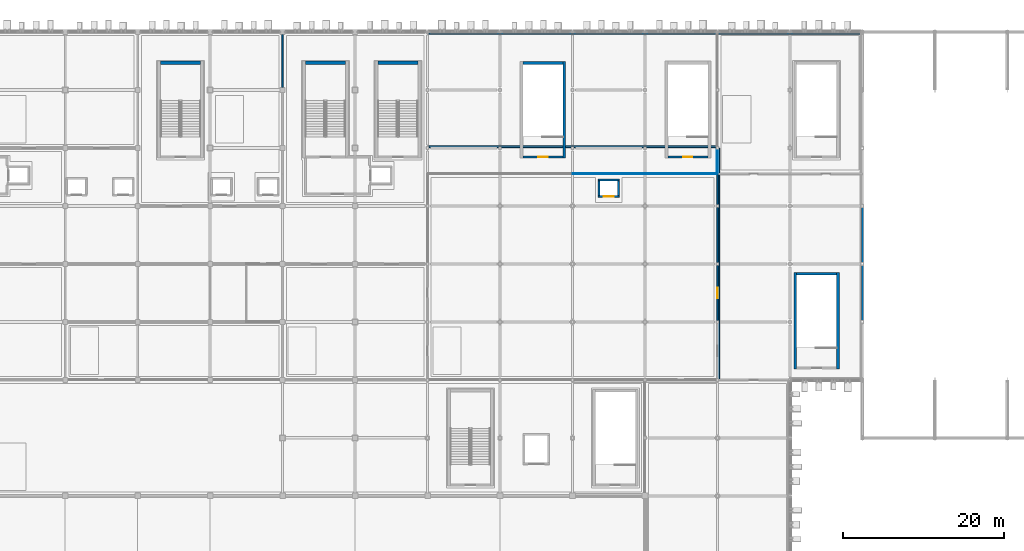
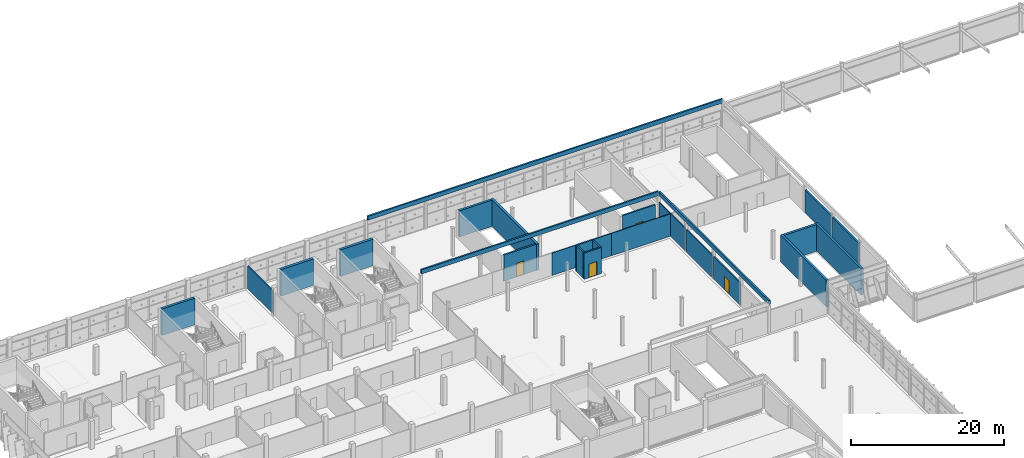
# One storey, part 106 of 124: 26 walls, 4 doors, 4 openings.
"""IFC4 building model written with IfcOpenShell, lengths in metres."""

from ifc_helpers import new_model, si_unit, direction, frame, frame_2d, origin, place, context, subcontext, project, spatial, rectangle, extrude, material, layer, layer_set, type_object, element, fill, save


model = new_model("IFC4")

# Units and contexts
model_context = context("Model", 3, precision=1e-05, world=origin(), true_north=direction((0.0, 1.0)))
body_context = subcontext(model_context, "Body", "Model", "MODEL_VIEW")
ifc_project = project(units=[si_unit("LENGTHUNIT", "METRE"), si_unit("AREAUNIT", "SQUARE_METRE"), si_unit("VOLUMEUNIT", "CUBIC_METRE"), si_unit("PLANEANGLEUNIT", "RADIAN"), si_unit("MASSUNIT", "GRAM", prefix="KILO")], contexts=[model_context])

# Site, building, storey
site_placement = place(None, origin())
site = spatial("IfcSite", under=ifc_project, at=site_placement, CompositionType="ELEMENT")
building_placement = place(site_placement, origin())
building = spatial("IfcBuilding", under=site, at=building_placement, Name="Celestram Park Convention Centre", CompositionType="ELEMENT")
storey_placement = place(building_placement, frame((0.0, 0.0, 15.300048828125)))
storey = spatial("IfcBuildingStorey", under=building, at=storey_placement, Name="L03", CompositionType="ELEMENT", Elevation=15.300048828125)

# Wall, opening, door
ifc_material_1 = material(Name="Concrete Block Masonry C25/30", Category="masonry")
ifc_layer_1 = layer(ifc_material_1, 0.25)
ifc_layer_set_1 = layer_set([ifc_layer_1], Name="Concrete Block Masonry C25/30")
wall_type_1 = type_object("IfcWallType", Name="ARC-WL-COR250", PredefinedType="STANDARD", material=ifc_layer_set_1)
wall_1_placement = place(storey_placement, frame((128.840087890625, 150.074951171875, 0.0), z_axis=(0.0, 0.0, 1.0), x_axis=(1.0, 0.0, 0.0)))
wall_1 = element("IfcWall", 1, at=wall_1_placement, inside=storey, type_object=wall_type_1, Name="Core C5 stair entrance wall", PredefinedType="STANDARD", context=body_context, shape_type="SweptSolid", body=[
    extrude(rectangle(XDim=4.9599609375, YDim=0.25, at=frame_2d((2.47998046875, 0.0))), origin(), (0.0, 0.0, 1.0), 4.199951171875),
])
opening_1_placement = place(wall_1_placement, frame((1.905029296875, 0.0, 0.0)))
opening_1 = element("IfcOpeningElement", 2, at=opening_1_placement, cuts=wall_1, Name="Opening D-ST1", PredefinedType="OPENING", context=body_context, shape_type="SweptSolid", body=[
    extrude(rectangle(XDim=1.14990234375, YDim=2.199951171875, at=frame_2d((0.574951171875, 1.10009765625))), frame((0.0, 0.135009765625, 0.0), z_axis=(0.0, -1.0, 0.0), x_axis=(1.0, 0.0, 0.0)), (0.0, 0.0, 1.0), 0.27001953125),
])
ifc_material_2 = material(Name="Fire-Rated Hollow Metal Steel ASTM A653", Category="steel")
door_type_1 = type_object("IfcDoorType", Name="ARC-DR-ST115", OperationType="NOTDEFINED", PredefinedType="DOOR", material=ifc_material_2)
door_1_placement = place(opening_1_placement, origin())
door_1 = element("IfcDoor", 3, at=door_1_placement, inside=storey, type_object=door_type_1, Name="Exit stair ST-05 fire door", OperationType="SINGLE_SWING_RIGHT", OverallHeight=2.199951171875, OverallWidth=1.14990234375, PredefinedType="DOOR", context=body_context, shape_type="SweptSolid", body=[
    extrude(rectangle(XDim=1.14990234375, YDim=2.199951171875, at=frame_2d((0.574951171875, 1.10009765625))), frame((0.0, 0.02490234375, 0.0), z_axis=(0.0, -1.0, 0.0), x_axis=(1.0, 0.0, 0.0)), (0.0, 0.0, 1.0), 0.050048828125),
])
fill(opening_1, door_1)

wall_2_placement = place(storey_placement, frame((110.840087890625, 150.074951171875, 0.0), z_axis=(0.0, 0.0, 1.0), x_axis=(1.0, 0.0, 0.0)))
wall_2 = element("IfcWall", 4, at=wall_2_placement, inside=storey, type_object=wall_type_1, Name="Core S16 stair entrance wall", PredefinedType="STANDARD", context=body_context, shape_type="SweptSolid", body=[
    extrude(rectangle(XDim=4.9599609375, YDim=0.25, at=frame_2d((2.47998046875, 0.0))), origin(), (0.0, 0.0, 1.0), 4.199951171875),
])
opening_2_placement = place(wall_2_placement, frame((1.905029296875, 0.0, 0.0)))
opening_2 = element("IfcOpeningElement", 5, at=opening_2_placement, cuts=wall_2, Name="Opening D-ST1", PredefinedType="OPENING", context=body_context, shape_type="SweptSolid", body=[
    extrude(rectangle(XDim=1.14990234375, YDim=2.199951171875, at=frame_2d((0.574951171875, 1.10009765625))), frame((0.0, 0.135009765625, 0.0), z_axis=(0.0, -1.0, 0.0), x_axis=(1.0, 0.0, 0.0)), (0.0, 0.0, 1.0), 0.27001953125),
])
door_2_placement = place(opening_2_placement, origin())
door_2 = element("IfcDoor", 6, at=door_2_placement, inside=storey, type_object=door_type_1, Name="Exit stair ST-16 fire door", OperationType="SINGLE_SWING_RIGHT", OverallHeight=2.199951171875, OverallWidth=1.14990234375, PredefinedType="DOOR", context=body_context, shape_type="SweptSolid", body=[
    extrude(rectangle(XDim=1.14990234375, YDim=2.199951171875, at=frame_2d((0.574951171875, 1.10009765625))), frame((0.0, 0.02490234375, 0.0), z_axis=(0.0, -1.0, 0.0), x_axis=(1.0, 0.0, 0.0)), (0.0, 0.0, 1.0), 0.050048828125),
])
fill(opening_2, door_2)

# Walls
ifc_material_3 = material(Name="Precast Concrete C40/50", Category="concrete")
ifc_layer_2 = layer(ifc_material_3, 0.260009765625)
ifc_layer_set_2 = layer_set([ifc_layer_2], Name="Precast Concrete C40/50")
wall_type_2 = type_object("IfcWallType", Name="ARC-WL-EXT260", PredefinedType="STANDARD", material=ifc_layer_set_2)
for number, where, z_axis, x_axis, name in (
    (7, (153.0, 143.802001953125, 0.0), (0.0, 0.0, 1.0), (0.0, -1.0, 0.0), "Acoustic hall overlook wall WL-L03-EW192"),
    (8, (153.0, 136.60205078125, 0.0), (0.0, 0.0, 1.0), (0.0, -1.0, 0.0), "Acoustic hall overlook wall WL-L03-EW193"),
):
    element("IfcWall", number, at=place(storey_placement, frame(where, z_axis=z_axis, x_axis=x_axis)), inside=storey, type_object=wall_type_2, Name=name, PredefinedType="STANDARD", context=body_context, shape_type="SweptSolid", body=[
        extrude(rectangle(XDim=6.803955078125, YDim=0.260009765625, at=frame_2d((3.40185546875, 0.0))), origin(), (0.0, 0.0, 1.0), 3.64794921875),
    ])
ifc_layer_3 = layer(ifc_material_3, 0.239990234375)
ifc_layer_set_3 = layer_set([ifc_layer_3], Name="Precast Concrete C40/50")
wall_type_3 = type_object("IfcWallType", Name="ARC-WL-PAR240", PredefinedType="PARAPET", material=ifc_layer_set_3)
wall_3_placement = place(storey_placement, frame((135.139892578125, 122.39990234375, 4.5), z_axis=(0.0, 0.0, 1.0), x_axis=(0.0, 1.0, 0.0)))
element("IfcWall", 9, at=wall_3_placement, inside=storey, type_object=wall_type_3, Name="Flat roof parapet WL-L03-PR03", PredefinedType="PARAPET", context=body_context, shape_type="SweptSolid", body=[
    extrude(rectangle(XDim=28.800048828125, YDim=0.239990234375, at=frame_2d((14.39990234375, 0.0))), origin(), (0.0, 0.0, 1.0), 0.64990234375),
])
wall_4_placement = place(storey_placement, frame((135.0, 151.340087890625, 4.5), z_axis=(0.0, 0.0, 1.0), x_axis=(-1.0, 0.0, 0.0)))
element("IfcWall", 10, at=wall_4_placement, inside=storey, type_object=wall_type_3, Name="Flat roof parapet WL-L03-PR04", PredefinedType="PARAPET", context=body_context, shape_type="SweptSolid", body=[
    extrude(rectangle(XDim=35.860107421875, YDim=0.239990234375, at=frame_2d((17.93017578125, 0.0))), origin(), (0.0, 0.0, 1.0), 0.64990234375),
])
wall_5_placement = place(storey_placement, frame((99.139892578125, 165.4599609375, 4.5), z_axis=(0.0, 0.0, 1.0), x_axis=(1.0, 0.0, 0.0)))
element("IfcWall", 11, at=wall_5_placement, inside=storey, type_object=wall_type_3, Name="Flat roof parapet WL-L03-PR05", PredefinedType="PARAPET", context=body_context, shape_type="SweptSolid", body=[
    extrude(rectangle(XDim=53.72021484375, YDim=0.239990234375, at=frame_2d((26.860107421875, 0.0))), origin(), (0.0, 0.0, 1.0), 0.64990234375),
])
ifc_material_4 = material(Name="Standard Gypsum & Steel Stud 120 mm", Category="steel")
ifc_layer_4 = layer(ifc_material_4, 0.1201171875)
ifc_layer_set_4 = layer_set([ifc_layer_4], Name="Standard Gypsum & Steel Stud 120 mm")
wall_type_4 = type_object("IfcWallType", Name="ARC-WL-PRT120", PredefinedType="PARTITIONING", material=ifc_layer_set_4)
for number, where, z_axis, x_axis, name in (
    (12, (117.0, 148.0, 0.0), (0.0, 0.0, 1.0), (1.0, 0.0, 0.0), "Interior partition WL-L03-IN0909"),
    (13, (126.0, 148.0, 0.0), (0.0, 0.0, 1.0), (1.0, 0.0, 0.0), "Interior partition WL-L03-IN0910"),
):
    element("IfcWall", number, at=place(storey_placement, frame(where, z_axis=z_axis, x_axis=x_axis)), inside=storey, type_object=wall_type_4, Name=name, PredefinedType="PARTITIONING", context=body_context, shape_type="SweptSolid", body=[
        extrude(rectangle(XDim=9.0, YDim=0.1201171875, at=frame_2d((4.5, 0.0))), origin(), (0.0, 0.0, 1.0), 3.587890625),
    ])
wall_6_placement = place(storey_placement, frame((135.0, 148.0, 0.0), z_axis=(0.0, 0.0, 1.0), x_axis=(0.0, 1.0, 0.0)))
element("IfcWall", 14, at=wall_6_placement, inside=storey, type_object=wall_type_4, Name="Interior partition WL-L03-IN0940", PredefinedType="PARTITIONING", context=body_context, shape_type="SweptSolid", body=[
    extrude(rectangle(XDim=3.027099609375, YDim=0.1201171875, at=frame_2d((1.513671875, 0.0))), origin(), (0.0, 0.0, 1.0), 3.587890625),
])
ifc_material_5 = material(Name="Acoustic Gypsum & Steel Stud 160 mm", Category="steel")
ifc_layer_5 = layer(ifc_material_5, 0.159912109375)
ifc_layer_set_5 = layer_set([ifc_layer_5], Name="Acoustic Gypsum & Steel Stud 160 mm")
wall_type_5 = type_object("IfcWallType", Name="ARC-WL-PRT160", PredefinedType="PARTITIONING", material=ifc_layer_set_5)
wall_7_placement = place(storey_placement, frame((81.0, 158.697998046875, 0.0), z_axis=(0.0, 0.0, 1.0), x_axis=(0.0, 1.0, 0.0)))
element("IfcWall", 15, at=wall_7_placement, inside=storey, type_object=wall_type_5, Name="Interior partition WL-L03-IN0929", PredefinedType="PARTITIONING", context=body_context, shape_type="SweptSolid", body=[
    extrude(rectangle(XDim=6.60400390625, YDim=0.159912109375, at=frame_2d((3.302001953125, 0.0))), origin(), (0.0, 0.0, 1.0), 3.637939453125),
])

# Wall, opening, door
ifc_material_6 = material(Name="Fire-Rated Gypsum & Steel Stud 180 mm", Category="steel")
ifc_layer_6 = layer(ifc_material_6, 0.179931640625)
ifc_layer_set_6 = layer_set([ifc_layer_6], Name="Fire-Rated Gypsum & Steel Stud 180 mm")
wall_type_6 = type_object("IfcWallType", Name="ARC-WL-PRT180", PredefinedType="PARTITIONING", material=ifc_layer_set_6)
wall_8_placement = place(storey_placement, frame((135.0, 129.77294921875, 0.0), z_axis=(0.0, 0.0, 1.0), x_axis=(0.0, 1.0, 0.0)))
wall_8 = element("IfcWall", 16, at=wall_8_placement, inside=storey, type_object=wall_type_6, Name="Interior partition WL-L03-IN0937", PredefinedType="PARTITIONING", context=body_context, shape_type="SweptSolid", body=[
    extrude(rectangle(XDim=6.85400390625, YDim=0.179931640625, at=frame_2d((3.427001953125, 0.0))), origin(), (0.0, 0.0, 1.0), 3.587890625),
])
opening_3_placement = place(wall_8_placement, frame((2.777099609375, 0.0, 0.0)))
opening_3 = element("IfcOpeningElement", 17, at=opening_3_placement, cuts=wall_8, Name="Opening D-10", PredefinedType="OPENING", context=body_context, shape_type="SweptSolid", body=[
    extrude(rectangle(XDim=1.300048828125, YDim=2.199951171875, at=frame_2d((0.64990234375, 1.10009765625))), frame((0.0, 0.099853515625, 0.0), z_axis=(0.0, -1.0, 0.0), x_axis=(1.0, 0.0, 0.0)), (0.0, 0.0, 1.0), 0.199951171875),
])
ifc_material_7 = material(Name="Hollow Metal Catering Service Door", Category="steel")
door_type_2 = type_object("IfcDoorType", Name="ARC-DR-SRV130", OperationType="NOTDEFINED", PredefinedType="DOOR", material=ifc_material_7)
door_3_placement = place(opening_3_placement, origin())
door_3 = element("IfcDoor", 18, at=door_3_placement, inside=storey, type_object=door_type_2, Name="Terrace Restaurant Kitchen entrance door", OperationType="SINGLE_SWING_RIGHT", OverallHeight=2.199951171875, OverallWidth=1.300048828125, PredefinedType="DOOR", context=body_context, shape_type="SweptSolid", body=[
    extrude(rectangle(XDim=1.300048828125, YDim=2.199951171875, at=frame_2d((0.64990234375, 1.10009765625))), frame((0.0, 0.02490234375, 0.0), z_axis=(0.0, -1.0, 0.0), x_axis=(1.0, 0.0, 0.0)), (0.0, 0.0, 1.0), 0.050048828125),
])
fill(opening_3, door_3)

# Walls
wall_9_placement = place(storey_placement, frame((135.0, 136.972900390625, 0.0), z_axis=(0.0, 0.0, 1.0), x_axis=(0.0, 1.0, 0.0)))
element("IfcWall", 19, at=wall_9_placement, inside=storey, type_object=wall_type_6, Name="Interior partition WL-L03-IN0938", PredefinedType="PARTITIONING", context=body_context, shape_type="SweptSolid", body=[
    extrude(rectangle(XDim=6.85400390625, YDim=0.179931640625, at=frame_2d((3.427001953125, 0.0))), origin(), (0.0, 0.0, 1.0), 3.587890625),
])
wall_10_placement = place(storey_placement, frame((135.0, 144.173095703125, 0.0), z_axis=(0.0, 0.0, 1.0), x_axis=(0.0, 1.0, 0.0)))
element("IfcWall", 20, at=wall_10_placement, inside=storey, type_object=wall_type_6, Name="Interior partition WL-L03-IN0939", PredefinedType="PARTITIONING", context=body_context, shape_type="SweptSolid", body=[
    extrude(rectangle(XDim=3.826904296875, YDim=0.179931640625, at=frame_2d((1.91357421875, 0.0))), origin(), (0.0, 0.0, 1.0), 3.587890625),
])

# Wall, opening, door
ifc_layer_7 = layer(ifc_material_1, 0.219970703125)
ifc_layer_set_7 = layer_set([ifc_layer_7], Name="Concrete Block Masonry C25/30")
wall_type_7 = type_object("IfcWallType", Name="ARC-WL-SHF220", PredefinedType="STANDARD", material=ifc_layer_set_7)
wall_11_placement = place(storey_placement, frame((120.169921875, 145.179931640625, 0.0), z_axis=(0.0, 0.0, 1.0), x_axis=(1.0, 0.0, 0.0)))
wall_11 = element("IfcWall", 21, at=wall_11_placement, inside=storey, type_object=wall_type_7, Name="Lift LP-06 shaft wall S", PredefinedType="STANDARD", context=body_context, shape_type="SweptSolid", body=[
    extrude(rectangle(XDim=2.66015625, YDim=0.219970703125, at=frame_2d((1.330078125, 0.0))), origin(), (0.0, 0.0, 1.0), 4.199951171875),
])
opening_4_placement = place(wall_11_placement, frame((0.72998046875, 0.0, 0.0)))
opening_4 = element("IfcOpeningElement", 22, at=opening_4_placement, cuts=wall_11, Name="Opening LD-01", PredefinedType="OPENING", context=body_context, shape_type="SweptSolid", body=[
    extrude(rectangle(XDim=1.199951171875, YDim=2.199951171875, at=frame_2d((0.60009765625, 1.10009765625))), frame((0.0, 0.119873046875, 0.0), z_axis=(0.0, -1.0, 0.0), x_axis=(1.0, 0.0, 0.0)), (0.0, 0.0, 1.0), 0.239990234375),
])
ifc_material_8 = material(Name="Brushed Stainless Steel AISI 304", Category="steel")
door_type_3 = type_object("IfcDoorType", Name="ARC-DR-LFT120", OperationType="NOTDEFINED", PredefinedType="DOOR", material=ifc_material_8)
door_4_placement = place(opening_4_placement, origin())
door_4 = element("IfcDoor", 23, at=door_4_placement, inside=storey, type_object=door_type_3, Name="Lift LP-06 sliding landing door", OperationType="DOUBLE_DOOR_SLIDING", OverallHeight=2.199951171875, OverallWidth=1.199951171875, PredefinedType="DOOR", context=body_context, shape_type="SweptSolid", body=[
    extrude(rectangle(XDim=1.199951171875, YDim=2.199951171875, at=frame_2d((0.60009765625, 1.10009765625))), frame((0.0, 0.02490234375, 0.0), z_axis=(0.0, -1.0, 0.0), x_axis=(1.0, 0.0, 0.0)), (0.0, 0.0, 1.0), 0.050048828125),
])
fill(opening_4, door_4)

# Walls
wall_12_placement = place(storey_placement, frame((122.830078125, 147.219970703125, 0.0), z_axis=(0.0, 0.0, 1.0), x_axis=(-1.0, 0.0, 0.0)))
element("IfcWall", 24, at=wall_12_placement, inside=storey, type_object=wall_type_7, Name="Lift LP-06 shaft wall N", PredefinedType="STANDARD", context=body_context, shape_type="SweptSolid", body=[
    extrude(rectangle(XDim=2.66015625, YDim=0.219970703125, at=frame_2d((1.330078125, 0.0))), origin(), (0.0, 0.0, 1.0), 4.199951171875),
])
for number, where, z_axis, x_axis, name in (
    (25, (120.280029296875, 147.110107421875, 0.0), (0.0, 0.0, 1.0), (0.0, -1.0, 0.0), "Lift LP-06 shaft wall W"),
    (26, (122.719970703125, 145.2900390625, 0.0), (0.0, 0.0, 1.0), (0.0, 1.0, 0.0), "Lift LP-06 shaft wall E"),
):
    element("IfcWall", number, at=place(storey_placement, frame(where, z_axis=z_axis, x_axis=x_axis)), inside=storey, type_object=wall_type_7, Name=name, PredefinedType="STANDARD", context=body_context, shape_type="SweptSolid", body=[
        extrude(rectangle(XDim=1.820068359375, YDim=0.219970703125, at=frame_2d((0.91015625, 0.0))), origin(), (0.0, 0.0, 1.0), 4.199951171875),
    ])
ifc_material_9 = material(Name="Concrete C40/50", Category="concrete")
ifc_layer_8 = layer(ifc_material_9, 0.340087890625)
ifc_layer_set_8 = layer_set([ifc_layer_8], Name="Concrete C40/50")
wall_type_8 = type_object("IfcWallType", Name="STR-WL-SHR340", PredefinedType="SHEAR", material=ifc_layer_set_8)
for number, where, z_axis, x_axis, name in (
    (27, (144.669921875, 123.75, 0.0), (0.0, 0.0, 1.0), (0.0, 1.0, 0.0), "Core S10 shear wall L"),
    (28, (149.969970703125, 135.739990234375, 0.0), (0.0, 0.0, 1.0), (0.0, -1.0, 0.0), "Core S10 shear wall R"),
):
    element("IfcWall", number, at=place(storey_placement, frame(where, z_axis=z_axis, x_axis=x_axis)), inside=storey, type_object=wall_type_8, Name=name, PredefinedType="SHEAR", context=body_context, shape_type="SweptSolid", body=[
        extrude(rectangle(XDim=11.989990234375, YDim=0.340087890625, at=frame_2d((5.9951171875, 0.0))), origin(), (0.0, 0.0, 1.0), 4.260009765625),
    ])
wall_13_placement = place(storey_placement, frame((144.840087890625, 135.570068359375, 0.0), z_axis=(0.0, 0.0, 1.0), x_axis=(1.0, 0.0, 0.0)))
element("IfcWall", 29, at=wall_13_placement, inside=storey, type_object=wall_type_8, Name="Core S10 shear wall F", PredefinedType="SHEAR", context=body_context, shape_type="SweptSolid", body=[
    extrude(rectangle(XDim=4.9599609375, YDim=0.340087890625, at=frame_2d((2.47998046875, 0.0))), origin(), (0.0, 0.0, 1.0), 4.260009765625),
])
wall_14_placement = place(storey_placement, frame((115.969970703125, 161.93994140625, 0.0), z_axis=(0.0, 0.0, 1.0), x_axis=(0.0, -1.0, 0.0)))
element("IfcWall", 30, at=wall_14_placement, inside=storey, type_object=wall_type_8, Name="Core S16 shear wall R", PredefinedType="SHEAR", context=body_context, shape_type="SweptSolid", body=[
    extrude(rectangle(XDim=11.989990234375, YDim=0.340087890625, at=frame_2d((5.9951171875, 0.0))), origin(), (0.0, 0.0, 1.0), 4.199951171875),
])
wall_15_placement = place(storey_placement, frame((110.840087890625, 161.77001953125, 0.0), z_axis=(0.0, 0.0, 1.0), x_axis=(1.0, 0.0, 0.0)))
element("IfcWall", 31, at=wall_15_placement, inside=storey, type_object=wall_type_8, Name="Core S16 shear wall F", PredefinedType="SHEAR", context=body_context, shape_type="SweptSolid", body=[
    extrude(rectangle(XDim=4.9599609375, YDim=0.340087890625, at=frame_2d((2.47998046875, 0.0))), origin(), (0.0, 0.0, 1.0), 4.199951171875),
])
ifc_layer_9 = layer(ifc_material_9, 0.3798828125)
ifc_layer_set_9 = layer_set([ifc_layer_9], Name="Concrete C40/50")
wall_type_9 = type_object("IfcWallType", Name="STR-WL-SHR380", PredefinedType="SHEAR", material=ifc_layer_set_9)
for number, where, z_axis, x_axis, name in (
    (32, (83.840087890625, 161.7900390625, 0.0), (0.0, 0.0, 1.0), (1.0, 0.0, 0.0), "Core C2 shear wall F"),
    (33, (65.840087890625, 161.7900390625, 0.0), (0.0, 0.0, 1.0), (1.0, 0.0, 0.0), "Core S14 shear wall F"),
    (34, (92.840087890625, 161.7900390625, 0.0), (0.0, 0.0, 1.0), (1.0, 0.0, 0.0), "Core S19 shear wall F"),
):
    element("IfcWall", number, at=place(storey_placement, frame(where, z_axis=z_axis, x_axis=x_axis)), inside=storey, type_object=wall_type_9, Name=name, PredefinedType="SHEAR", context=body_context, shape_type="SweptSolid", body=[
        extrude(rectangle(XDim=4.9599609375, YDim=0.3798828125, at=frame_2d((2.47998046875, 0.0))), origin(), (0.0, 0.0, 1.0), 4.25),
    ])

save(model, "model.ifc")
